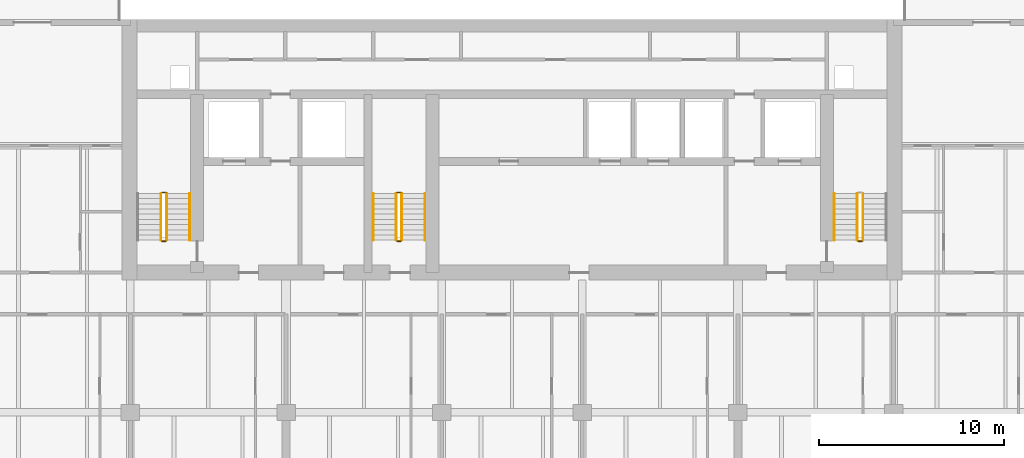
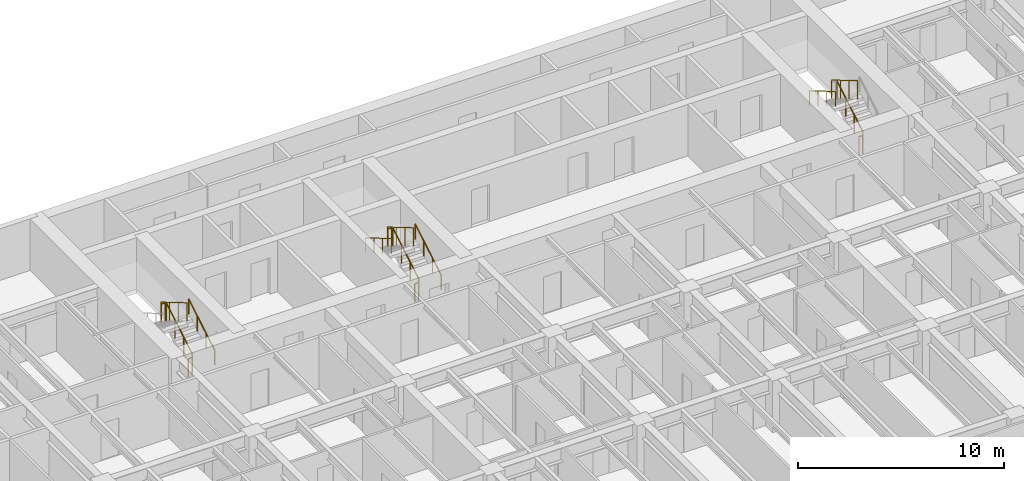
# One storey, part 16 of 18: 15 railings.
"""IFC4 building model written with IfcOpenShell, lengths in metres."""

from ifc_helpers import new_model, si_unit, direction, frame, origin, origin_2d, place, context, subcontext, project, spatial, circle, extrude, material, type_object, element, save


model = new_model("IFC4")

# Units and contexts
model_context = context("Model", 3, precision=1e-05, world=origin(), true_north=direction((0.0, 1.0)))
body_context = subcontext(model_context, "Body", "Model", "MODEL_VIEW")
ifc_project = project(units=[si_unit("LENGTHUNIT", "METRE"), si_unit("AREAUNIT", "SQUARE_METRE"), si_unit("VOLUMEUNIT", "CUBIC_METRE"), si_unit("PLANEANGLEUNIT", "RADIAN"), si_unit("MASSUNIT", "GRAM", prefix="KILO")], contexts=[model_context])

# Site, building, storey
site_placement = place(None, origin())
site = spatial("IfcSite", under=ifc_project, at=site_placement, CompositionType="ELEMENT")
building_placement = place(site_placement, origin())
building = spatial("IfcBuilding", under=site, at=building_placement, Name="Caelmar Bay Residences", CompositionType="ELEMENT")
storey_placement = place(building_placement, frame((0.0, 0.0, 125.699951171875)))
storey = spatial("IfcBuildingStorey", under=building, at=storey_placement, Name="L34", CompositionType="ELEMENT", Elevation=125.699951171875)

# Railings
ifc_material_1 = material(Name="Painted galvanized steel stair guard 1100 mm", Category="steel")
railing_type_1 = type_object("IfcRailingType", Name="RL-GRD-1100", PredefinedType="GUARDRAIL", material=ifc_material_1)
railing_1_placement = place(storey_placement, frame((20.25, 38.699951171875, 0.1650390625)))
element("IfcRailing", 1, at=railing_1_placement, inside=storey, type_object=railing_type_1, Name="L34 ST1 stair guard 1", PredefinedType="GUARDRAIL", context=body_context, shape_type="SweptSolid", body=[
    extrude(circle(Radius=0.02392578125, at=origin_2d()), frame((0.0, 0.0, 1.076171875), z_axis=(0.0, 0.86152411907, 0.507716645641), x_axis=(-1.0, 0.0, 0.0)), (0.0, 0.0, 1.0), 2.925048828125),
    extrude(circle(Radius=0.02099609375, at=origin_2d()), origin(), (0.0, 0.0, 1.0), 1.052001953125),
    extrude(circle(Radius=0.02099609375, at=origin_2d()), frame((0.0, 0.840087890625, 0.4951171875)), (0.0, 0.0, 1.0), 1.052001953125),
    extrude(circle(Radius=0.02099609375, at=origin_2d()), frame((0.0, 1.679931640625, 0.989990234375)), (0.0, 0.0, 1.0), 1.052001953125),
    extrude(circle(Radius=0.02099609375, at=origin_2d()), frame((0.0, 2.52001953125, 1.485107421875)), (0.0, 0.0, 1.0), 1.052001953125),
])
railing_2_placement = place(storey_placement, frame((20.199951171875, 41.27001953125, 1.650146484375)))
element("IfcRailing", 2, at=railing_2_placement, inside=storey, type_object=railing_type_1, Name="L34 ST1 stair guard 2", PredefinedType="GUARDRAIL", context=body_context, shape_type="SweptSolid", body=[
    extrude(circle(Radius=0.02392578125, at=origin_2d()), frame((0.0, 0.0, 1.076171875), z_axis=(-1.0, 0.0, 0.0), x_axis=(0.0, -1.0, 0.0)), (0.0, 0.0, 1.0), 0.199951171875),
    extrude(circle(Radius=0.02099609375, at=origin_2d()), origin(), (0.0, 0.0, 1.0), 1.052001953125),
    extrude(circle(Radius=0.02099609375, at=origin_2d()), frame((-0.199951171875, 0.0, 0.0)), (0.0, 0.0, 1.0), 1.052001953125),
])
railing_3_placement = place(storey_placement, frame((19.949951171875, 41.219970703125, 1.81494140625)))
element("IfcRailing", 3, at=railing_3_placement, inside=storey, type_object=railing_type_1, Name="L34 ST1 stair guard 3", PredefinedType="GUARDRAIL", context=body_context, shape_type="SweptSolid", body=[
    extrude(circle(Radius=0.02392578125, at=origin_2d()), frame((0.0, 0.0, 1.076171875), z_axis=(0.0, -0.86152411907, 0.507716645641), x_axis=(1.0, 0.0, 0.0)), (0.0, 0.0, 1.0), 2.925048828125),
    extrude(circle(Radius=0.02099609375, at=origin_2d()), origin(), (0.0, 0.0, 1.0), 1.052001953125),
    extrude(circle(Radius=0.02099609375, at=origin_2d()), frame((0.0, -0.840087890625, 0.4951171875)), (0.0, 0.0, 1.0), 1.052001953125),
    extrude(circle(Radius=0.02099609375, at=origin_2d()), frame((0.0, -1.679931640625, 0.989990234375)), (0.0, 0.0, 1.0), 1.052001953125),
    extrude(circle(Radius=0.02099609375, at=origin_2d()), frame((0.0, -2.52001953125, 1.485107421875)), (0.0, 0.0, 1.0), 1.052001953125),
])
railing_4_placement = place(storey_placement, frame((20.199951171875, 38.64990234375, 0.0)))
element("IfcRailing", 4, at=railing_4_placement, inside=storey, type_object=railing_type_1, Name="L34 ST1 stair guard 4", PredefinedType="GUARDRAIL", context=body_context, shape_type="SweptSolid", body=[
    extrude(circle(Radius=0.02392578125, at=origin_2d()), frame((0.0, 0.0, 1.076171875), z_axis=(-1.0, 0.0, 0.0), x_axis=(0.0, -1.0, 0.0)), (0.0, 0.0, 1.0), 0.199951171875),
    extrude(circle(Radius=0.02099609375, at=origin_2d()), origin(), (0.0, 0.0, 1.0), 1.052001953125),
    extrude(circle(Radius=0.02099609375, at=origin_2d()), frame((-0.199951171875, 0.0, 0.0)), (0.0, 0.0, 1.0), 1.052001953125),
])
railing_5_placement = place(storey_placement, frame((57.85009765625, 38.699951171875, 0.1650390625)))
element("IfcRailing", 5, at=railing_5_placement, inside=storey, type_object=railing_type_1, Name="L34 ST2 stair guard 1", PredefinedType="GUARDRAIL", context=body_context, shape_type="SweptSolid", body=[
    extrude(circle(Radius=0.02392578125, at=origin_2d()), frame((0.0, 0.0, 1.076171875), z_axis=(0.0, 0.86152411907, 0.507716645641), x_axis=(-1.0, 0.0, 0.0)), (0.0, 0.0, 1.0), 2.925048828125),
    extrude(circle(Radius=0.02099609375, at=origin_2d()), origin(), (0.0, 0.0, 1.0), 1.052001953125),
    extrude(circle(Radius=0.02099609375, at=origin_2d()), frame((0.0, 0.840087890625, 0.4951171875)), (0.0, 0.0, 1.0), 1.052001953125),
    extrude(circle(Radius=0.02099609375, at=origin_2d()), frame((0.0, 1.679931640625, 0.989990234375)), (0.0, 0.0, 1.0), 1.052001953125),
    extrude(circle(Radius=0.02099609375, at=origin_2d()), frame((0.0, 2.52001953125, 1.485107421875)), (0.0, 0.0, 1.0), 1.052001953125),
])
railing_6_placement = place(storey_placement, frame((57.550048828125, 41.219970703125, 1.81494140625)))
element("IfcRailing", 6, at=railing_6_placement, inside=storey, type_object=railing_type_1, Name="L34 ST2 stair guard 3", PredefinedType="GUARDRAIL", context=body_context, shape_type="SweptSolid", body=[
    extrude(circle(Radius=0.02392578125, at=origin_2d()), frame((0.0, 0.0, 1.076171875), z_axis=(0.0, -0.86152411907, 0.507716645641), x_axis=(1.0, 0.0, 0.0)), (0.0, 0.0, 1.0), 2.925048828125),
    extrude(circle(Radius=0.02099609375, at=origin_2d()), origin(), (0.0, 0.0, 1.0), 1.052001953125),
    extrude(circle(Radius=0.02099609375, at=origin_2d()), frame((0.0, -0.840087890625, 0.4951171875)), (0.0, 0.0, 1.0), 1.052001953125),
    extrude(circle(Radius=0.02099609375, at=origin_2d()), frame((0.0, -1.679931640625, 0.989990234375)), (0.0, 0.0, 1.0), 1.052001953125),
    extrude(circle(Radius=0.02099609375, at=origin_2d()), frame((0.0, -2.52001953125, 1.485107421875)), (0.0, 0.0, 1.0), 1.052001953125),
])
railing_7_placement = place(storey_placement, frame((57.800048828125, 38.64990234375, 0.0)))
element("IfcRailing", 7, at=railing_7_placement, inside=storey, type_object=railing_type_1, Name="L34 ST2 stair guard 4", PredefinedType="GUARDRAIL", context=body_context, shape_type="SweptSolid", body=[
    extrude(circle(Radius=0.02392578125, at=origin_2d()), frame((0.0, 0.0, 1.076171875), z_axis=(-1.0, 0.0, 0.0), x_axis=(0.0, -1.0, 0.0)), (0.0, 0.0, 1.0), 0.199951171875),
    extrude(circle(Radius=0.02099609375, at=origin_2d()), origin(), (0.0, 0.0, 1.0), 1.052001953125),
    extrude(circle(Radius=0.02099609375, at=origin_2d()), frame((-0.199951171875, 0.0, 0.0)), (0.0, 0.0, 1.0), 1.052001953125),
])
railing_8_placement = place(storey_placement, frame((32.949951171875, 38.699951171875, 0.1650390625)))
element("IfcRailing", 8, at=railing_8_placement, inside=storey, type_object=railing_type_1, Name="L34 ST3 stair guard 1", PredefinedType="GUARDRAIL", context=body_context, shape_type="SweptSolid", body=[
    extrude(circle(Radius=0.02392578125, at=origin_2d()), frame((0.0, 0.0, 1.076171875), z_axis=(0.0, 0.86152411907, 0.507716645641), x_axis=(-1.0, 0.0, 0.0)), (0.0, 0.0, 1.0), 2.925048828125),
    extrude(circle(Radius=0.02099609375, at=origin_2d()), origin(), (0.0, 0.0, 1.0), 1.052001953125),
    extrude(circle(Radius=0.02099609375, at=origin_2d()), frame((0.0, 0.840087890625, 0.4951171875)), (0.0, 0.0, 1.0), 1.052001953125),
    extrude(circle(Radius=0.02099609375, at=origin_2d()), frame((0.0, 1.679931640625, 0.989990234375)), (0.0, 0.0, 1.0), 1.052001953125),
    extrude(circle(Radius=0.02099609375, at=origin_2d()), frame((0.0, 2.52001953125, 1.485107421875)), (0.0, 0.0, 1.0), 1.052001953125),
])
railing_9_placement = place(storey_placement, frame((32.89990234375, 41.27001953125, 1.650146484375)))
element("IfcRailing", 9, at=railing_9_placement, inside=storey, type_object=railing_type_1, Name="L34 ST3 stair guard 2", PredefinedType="GUARDRAIL", context=body_context, shape_type="SweptSolid", body=[
    extrude(circle(Radius=0.02392578125, at=origin_2d()), frame((0.0, 0.0, 1.076171875), z_axis=(-1.0, 0.0, 0.0), x_axis=(0.0, -1.0, 0.0)), (0.0, 0.0, 1.0), 0.199951171875),
    extrude(circle(Radius=0.02099609375, at=origin_2d()), origin(), (0.0, 0.0, 1.0), 1.052001953125),
    extrude(circle(Radius=0.02099609375, at=origin_2d()), frame((-0.199951171875, 0.0, 0.0)), (0.0, 0.0, 1.0), 1.052001953125),
])
railing_10_placement = place(storey_placement, frame((32.64990234375, 41.219970703125, 1.81494140625)))
element("IfcRailing", 10, at=railing_10_placement, inside=storey, type_object=railing_type_1, Name="L34 ST3 stair guard 3", PredefinedType="GUARDRAIL", context=body_context, shape_type="SweptSolid", body=[
    extrude(circle(Radius=0.02392578125, at=origin_2d()), frame((0.0, 0.0, 1.076171875), z_axis=(0.0, -0.86152411907, 0.507716645641), x_axis=(1.0, 0.0, 0.0)), (0.0, 0.0, 1.0), 2.925048828125),
    extrude(circle(Radius=0.02099609375, at=origin_2d()), origin(), (0.0, 0.0, 1.0), 1.052001953125),
    extrude(circle(Radius=0.02099609375, at=origin_2d()), frame((0.0, -0.840087890625, 0.4951171875)), (0.0, 0.0, 1.0), 1.052001953125),
    extrude(circle(Radius=0.02099609375, at=origin_2d()), frame((0.0, -1.679931640625, 0.989990234375)), (0.0, 0.0, 1.0), 1.052001953125),
    extrude(circle(Radius=0.02099609375, at=origin_2d()), frame((0.0, -2.52001953125, 1.485107421875)), (0.0, 0.0, 1.0), 1.052001953125),
])
railing_11_placement = place(storey_placement, frame((32.89990234375, 38.64990234375, 0.0)))
element("IfcRailing", 11, at=railing_11_placement, inside=storey, type_object=railing_type_1, Name="L34 ST3 stair guard 4", PredefinedType="GUARDRAIL", context=body_context, shape_type="SweptSolid", body=[
    extrude(circle(Radius=0.02392578125, at=origin_2d()), frame((0.0, 0.0, 1.076171875), z_axis=(-1.0, 0.0, 0.0), x_axis=(0.0, -1.0, 0.0)), (0.0, 0.0, 1.0), 0.199951171875),
    extrude(circle(Radius=0.02099609375, at=origin_2d()), origin(), (0.0, 0.0, 1.0), 1.052001953125),
    extrude(circle(Radius=0.02099609375, at=origin_2d()), frame((-0.199951171875, 0.0, 0.0)), (0.0, 0.0, 1.0), 1.052001953125),
])
ifc_material_2 = material(Name="Brushed bronze stainless-steel tubular handrail 900 mm", Category="steel")
railing_type_2 = type_object("IfcRailingType", Name="RL-HND-900", PredefinedType="HANDRAIL", material=ifc_material_2)
railing_12_placement = place(storey_placement, frame((21.5, 38.699951171875, 0.1650390625)))
element("IfcRailing", 12, at=railing_12_placement, inside=storey, type_object=railing_type_2, Name="L34 ST1 stair handrail 1", PredefinedType="HANDRAIL", context=body_context, shape_type="SweptSolid", body=[
    extrude(circle(Radius=0.02392578125, at=origin_2d()), frame((0.0, 0.0, 0.8759765625), z_axis=(0.0, 0.86152411907, 0.507716645641), x_axis=(-1.0, 0.0, 0.0)), (0.0, 0.0, 1.0), 2.925048828125),
    extrude(circle(Radius=0.02099609375, at=origin_2d()), origin(), (0.0, 0.0, 1.0), 0.851806640625),
    extrude(circle(Radius=0.02099609375, at=origin_2d()), frame((0.0, 0.840087890625, 0.4951171875)), (0.0, 0.0, 1.0), 0.851806640625),
    extrude(circle(Radius=0.02099609375, at=origin_2d()), frame((0.0, 1.679931640625, 0.989990234375)), (0.0, 0.0, 1.0), 0.851806640625),
    extrude(circle(Radius=0.02099609375, at=origin_2d()), frame((0.0, 2.52001953125, 1.485107421875)), (0.0, 0.0, 1.0), 0.851806640625),
])
railing_13_placement = place(storey_placement, frame((56.300048828125, 41.219970703125, 1.81494140625)))
element("IfcRailing", 13, at=railing_13_placement, inside=storey, type_object=railing_type_2, Name="L34 ST2 stair handrail 2", PredefinedType="HANDRAIL", context=body_context, shape_type="SweptSolid", body=[
    extrude(circle(Radius=0.02392578125, at=origin_2d()), frame((0.0, 0.0, 0.8759765625), z_axis=(0.0, -0.86152411907, 0.507716645641), x_axis=(1.0, 0.0, 0.0)), (0.0, 0.0, 1.0), 2.925048828125),
    extrude(circle(Radius=0.02099609375, at=origin_2d()), origin(), (0.0, 0.0, 1.0), 0.851806640625),
    extrude(circle(Radius=0.02099609375, at=origin_2d()), frame((0.0, -0.840087890625, 0.4951171875)), (0.0, 0.0, 1.0), 0.851806640625),
    extrude(circle(Radius=0.02099609375, at=origin_2d()), frame((0.0, -1.679931640625, 0.989990234375)), (0.0, 0.0, 1.0), 0.851806640625),
    extrude(circle(Radius=0.02099609375, at=origin_2d()), frame((0.0, -2.52001953125, 1.485107421875)), (0.0, 0.0, 1.0), 0.851806640625),
])
railing_14_placement = place(storey_placement, frame((34.199951171875, 38.699951171875, 0.1650390625)))
element("IfcRailing", 14, at=railing_14_placement, inside=storey, type_object=railing_type_2, Name="L34 ST3 stair handrail 1", PredefinedType="HANDRAIL", context=body_context, shape_type="SweptSolid", body=[
    extrude(circle(Radius=0.02392578125, at=origin_2d()), frame((0.0, 0.0, 0.8759765625), z_axis=(0.0, 0.86152411907, 0.507716645641), x_axis=(-1.0, 0.0, 0.0)), (0.0, 0.0, 1.0), 2.925048828125),
    extrude(circle(Radius=0.02099609375, at=origin_2d()), origin(), (0.0, 0.0, 1.0), 0.851806640625),
    extrude(circle(Radius=0.02099609375, at=origin_2d()), frame((0.0, 0.840087890625, 0.4951171875)), (0.0, 0.0, 1.0), 0.851806640625),
    extrude(circle(Radius=0.02099609375, at=origin_2d()), frame((0.0, 1.679931640625, 0.989990234375)), (0.0, 0.0, 1.0), 0.851806640625),
    extrude(circle(Radius=0.02099609375, at=origin_2d()), frame((0.0, 2.52001953125, 1.485107421875)), (0.0, 0.0, 1.0), 0.851806640625),
])
railing_15_placement = place(storey_placement, frame((31.39990234375, 41.219970703125, 1.81494140625)))
element("IfcRailing", 15, at=railing_15_placement, inside=storey, type_object=railing_type_2, Name="L34 ST3 stair handrail 2", PredefinedType="HANDRAIL", context=body_context, shape_type="SweptSolid", body=[
    extrude(circle(Radius=0.02392578125, at=origin_2d()), frame((0.0, 0.0, 0.8759765625), z_axis=(0.0, -0.86152411907, 0.507716645641), x_axis=(1.0, 0.0, 0.0)), (0.0, 0.0, 1.0), 2.925048828125),
    extrude(circle(Radius=0.02099609375, at=origin_2d()), origin(), (0.0, 0.0, 1.0), 0.851806640625),
    extrude(circle(Radius=0.02099609375, at=origin_2d()), frame((0.0, -0.840087890625, 0.4951171875)), (0.0, 0.0, 1.0), 0.851806640625),
    extrude(circle(Radius=0.02099609375, at=origin_2d()), frame((0.0, -1.679931640625, 0.989990234375)), (0.0, 0.0, 1.0), 0.851806640625),
    extrude(circle(Radius=0.02099609375, at=origin_2d()), frame((0.0, -2.52001953125, 1.485107421875)), (0.0, 0.0, 1.0), 0.851806640625),
])

save(model, "model.ifc")
